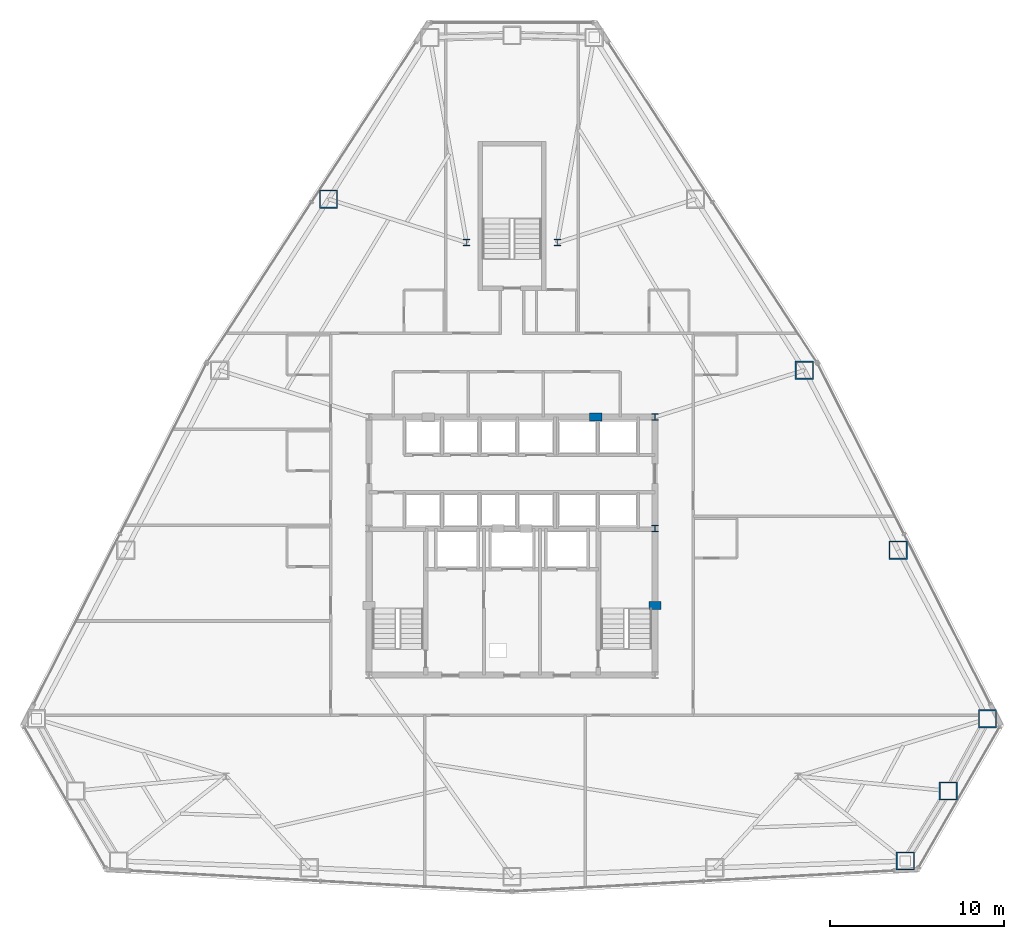
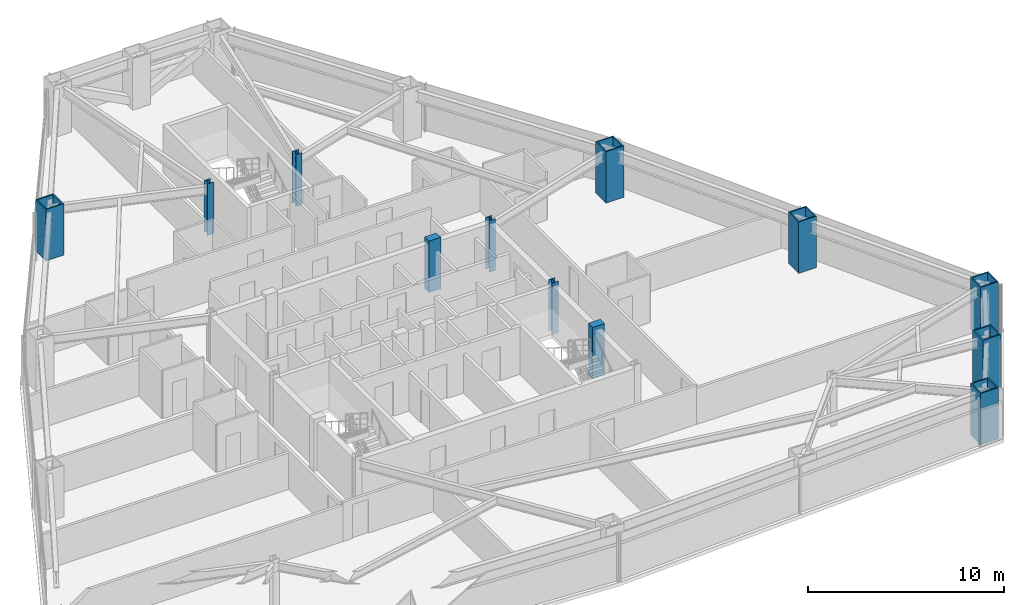
# One storey, part 2 of 12: 12 columns.
"""IFC4 building model written with IfcOpenShell, lengths in metres."""

from ifc_helpers import new_model, si_unit, direction, frame, origin, origin_2d, place, context, subcontext, project, spatial, rectangle, hollow_rectangle, i_section, extrude, material, material_profile, profile_set, type_object, element, save


model = new_model("IFC4")

# Units and contexts
model_context = context("Model", 3, precision=1e-05, world=origin(), true_north=direction((0.0, 1.0)))
body_context = subcontext(model_context, "Body", "Model", "MODEL_VIEW")
ifc_project = project(units=[si_unit("LENGTHUNIT", "METRE"), si_unit("AREAUNIT", "SQUARE_METRE"), si_unit("VOLUMEUNIT", "CUBIC_METRE"), si_unit("PLANEANGLEUNIT", "RADIAN"), si_unit("MASSUNIT", "GRAM", prefix="KILO")], contexts=[model_context])

# Site, building, storey
site_placement = place(None, origin())
site = spatial("IfcSite", under=ifc_project, at=site_placement, CompositionType="ELEMENT")
building_placement = place(site_placement, origin())
building = spatial("IfcBuilding", under=site, at=building_placement, Name="Varakhsha Concourse Tower", CompositionType="ELEMENT")
storey_placement = place(building_placement, frame((0.0, 0.0, 76.60009765625)))
storey = spatial("IfcBuildingStorey", under=building, at=storey_placement, Name="L21", CompositionType="ELEMENT", Elevation=76.60009765625)

# Columns
ifc_material_1 = material(Name="Structural Steel ASTM A992 Grade 50", Category="steel")
ifc_material_profile_1 = material_profile(ifc_material_1, i_section(OverallWidth=0.3740234375, OverallDepth=0.3720703125, WebThickness=0.01611328125, FlangeThickness=0.02587890625, at=origin_2d()), Name="W14X132")
ifc_profile_set_1 = profile_set([ifc_material_profile_1], Name="Structural Steel ASTM A992 Grade 50")
column_type_1 = type_object("IfcColumnType", Name="CL-CORE-W14X132", PredefinedType="COLUMN", material=ifc_profile_set_1)
for number, where, z_axis, x_axis, name in (
    (1, (48.199951171875, 24.800048828125, 0.0), (0.0, 0.0, 1.0), (1.0, 0.0, 0.0), "L21 Core Column CC-ME"),
    (2, (48.199951171875, 31.199951171875, 0.0), (0.0, 0.0, 1.0), (1.0, 0.0, 0.0), "L21 Core Column CC-NE"),
    (3, (37.39990234375, 41.199951171875, 0.0), (0.0, 0.0, 1.0), (1.0, 0.0, 0.0), "L21 Core Column NS-W"),
    (4, (42.60009765625, 41.199951171875, 0.0), (0.0, 0.0, 1.0), (1.0, 0.0, 0.0), "L21 Core Column NS-E"),
):
    element("IfcColumn", number, at=place(storey_placement, frame(where, z_axis=z_axis, x_axis=x_axis)), inside=storey, type_object=column_type_1, Name=name, PredefinedType="COLUMN", context=body_context, shape_type="SweptSolid", body=[
        extrude(i_section(OverallWidth=0.3740234375, OverallDepth=0.3720703125, WebThickness=0.01611328125, FlangeThickness=0.02587890625, at=origin_2d()), origin(), (0.0, 0.0, 1.0), 3.199951171875),
    ])
ifc_material_2 = material(Name="Concrete fc 65 MPa", Category="concrete")
ifc_material_profile_2 = material_profile(ifc_material_2, rectangle(XDim=0.699951171875, YDim=0.449951171875, at=origin_2d()), Name="RC 700x450")
ifc_profile_set_2 = profile_set([ifc_material_profile_2], Name="Concrete fc 65 MPa")
column_type_2 = type_object("IfcColumnType", Name="CL-PIL-700X450", PredefinedType="PILASTER", material=ifc_profile_set_2)
for number, where, z_axis, x_axis, name in (
    (5, (48.199951171875, 20.39990234375, 0.0), (0.0, 0.0, 1.0), (1.0, 0.0, 0.0), "L21 Core Boundary Pilaster PIL-E1"),
    (6, (44.800048828125, 31.199951171875, 0.0), (0.0, 0.0, 1.0), (1.0, 0.0, 0.0), "L21 Core Boundary Pilaster PIL-N2"),
):
    element("IfcColumn", number, at=place(storey_placement, frame(where, z_axis=z_axis, x_axis=x_axis)), inside=storey, type_object=column_type_2, Name=name, PredefinedType="PILASTER", context=body_context, shape_type="SweptSolid", body=[
        extrude(rectangle(XDim=0.699951171875, YDim=0.449951171875, at=origin_2d()), origin(), (0.0, 0.0, 1.0), 3.199951171875),
    ])
ifc_material_3 = material(Name="Structural Steel ASTM A572 Grade 50", Category="steel")
ifc_material_profile_3 = material_profile(ifc_material_3, hollow_rectangle(XDim=1.050048828125, YDim=1.050048828125, WallThickness=0.070068359375, at=origin_2d()), Name="BOX 1050x1050x70")
ifc_profile_set_3 = profile_set([ifc_material_profile_3], Name="Structural Steel ASTM A572 Grade 50")
column_type_3 = type_object("IfcColumnType", Name="CL-TUBE-1050", PredefinedType="COLUMN", material=ifc_profile_set_3)
for number, where, z_axis, x_axis, name in (
    (7, (29.481689453125, 43.6923828125, 0.0), (0.0, 0.0, 1.0), (1.0, 0.0, 0.0), "L21 Framed-Tube Column TC04"),
    (8, (62.55615234375, 5.740966796875, 0.0), (0.0, 0.0, 1.0), (1.0, 0.0, 0.0), "L21 Framed-Tube Column TC13"),
    (9, (65.012939453125, 9.7587890625, 0.0), (0.0, 0.0, 1.0), (1.0, 0.0, 0.0), "L21 Framed-Tube Column TC14"),
    (10, (67.26416015625, 13.8955078125, 0.0), (0.0, 0.0, 1.0), (1.0, 0.0, 0.0), "L21 Framed-Tube Column TC15"),
    (11, (62.14013671875, 23.562744140625, 0.0), (0.0, 0.0, 1.0), (1.0, 0.0, 0.0), "L21 Framed-Tube Column TC16"),
    (12, (56.762939453125, 33.878173828125, 0.0), (0.0, 0.0, 1.0), (1.0, 0.0, 0.0), "L21 Framed-Tube Column TC17"),
):
    element("IfcColumn", number, at=place(storey_placement, frame(where, z_axis=z_axis, x_axis=x_axis)), inside=storey, type_object=column_type_3, Name=name, PredefinedType="COLUMN", context=body_context, shape_type="SweptSolid", body=[
        extrude(hollow_rectangle(XDim=1.050048828125, YDim=1.050048828125, WallThickness=0.070068359375, at=origin_2d()), origin(), (0.0, 0.0, 1.0), 3.199951171875),
    ])

save(model, "model.ifc")
